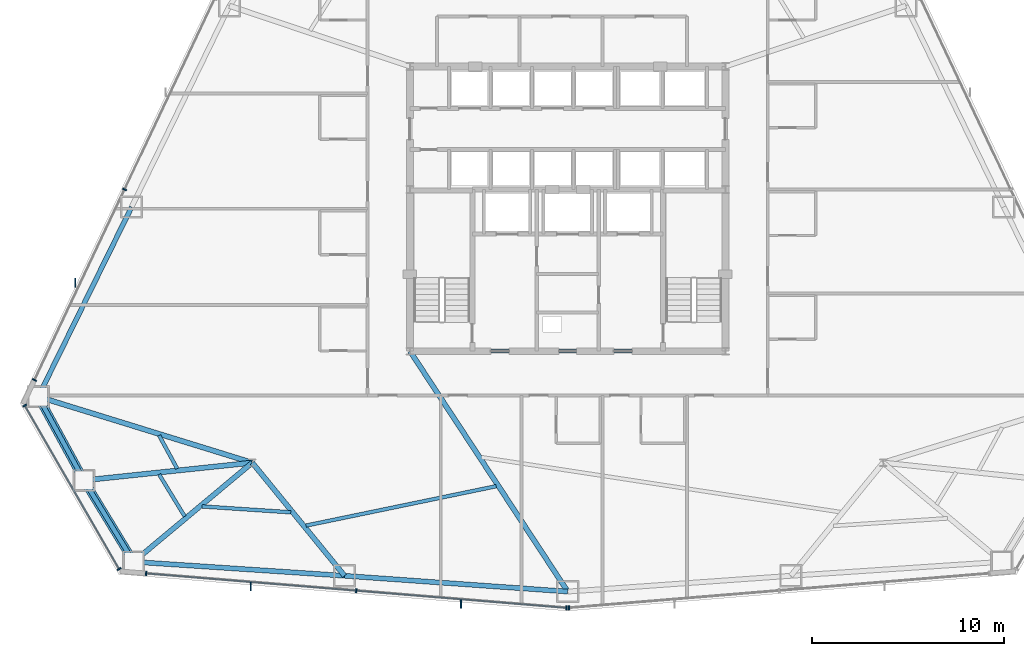
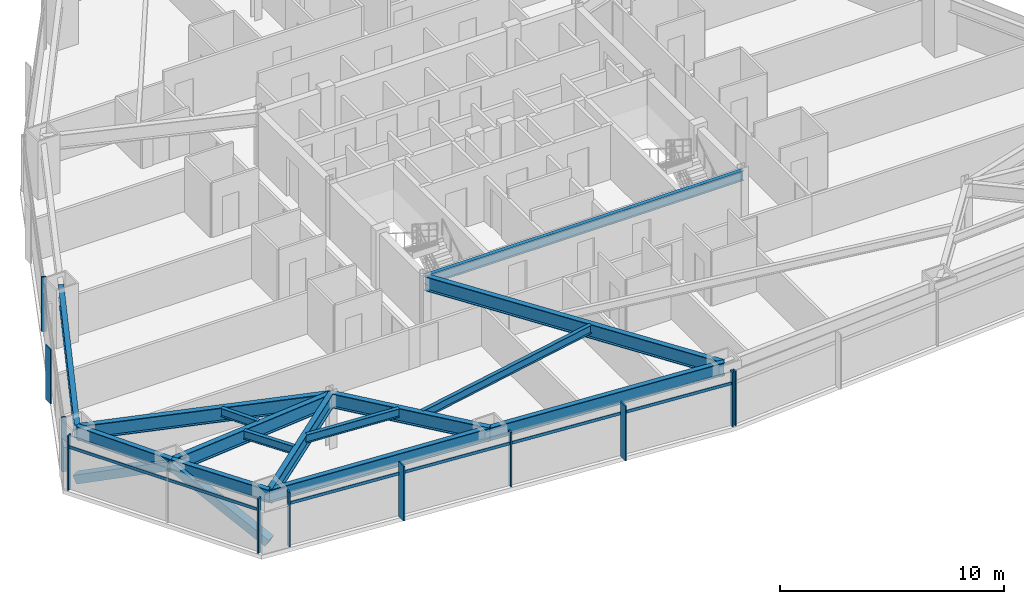
# One storey, part 4 of 13: 15 beams, 15 members, 4 elements without a shape of their own.
"""IFC4 building model written with IfcOpenShell, lengths in metres."""

from ifc_helpers import new_model, si_unit, direction, frame, origin, origin_2d, place, context, subcontext, project, spatial, rectangle, hollow_rectangle, i_section, extrude, source, transform, mapped, material, layer, layer_set, material_profile, profile_set, type_object, type_shapes, element, aggregate, save


model = new_model("IFC4")

# Units and contexts
model_context = context("Model", 3, precision=1e-05, world=origin(), true_north=direction((0.0, 1.0)))
body_context = subcontext(model_context, "Body", "Model", "MODEL_VIEW")
ifc_project = project(units=[si_unit("LENGTHUNIT", "METRE"), si_unit("AREAUNIT", "SQUARE_METRE"), si_unit("VOLUMEUNIT", "CUBIC_METRE"), si_unit("PLANEANGLEUNIT", "RADIAN"), si_unit("MASSUNIT", "GRAM", prefix="KILO")], contexts=[model_context])

# Site, building, storey
site_placement = place(None, origin())
site = spatial("IfcSite", under=ifc_project, at=site_placement, CompositionType="ELEMENT")
building_placement = place(site_placement, origin())
building = spatial("IfcBuilding", under=site, at=building_placement, Name="Varakhsha Concourse Tower", CompositionType="ELEMENT")
storey_placement = place(building_placement, frame((0.0, 0.0, 52.800048828125)))
storey = spatial("IfcBuildingStorey", under=building, at=storey_placement, Name="L14", CompositionType="ELEMENT", Elevation=52.800048828125)

# Beams
ifc_material_1 = material(Name="Structural Steel ASTM A992 Grade 50", Category="steel")
ifc_material_profile_1 = material_profile(ifc_material_1, i_section(OverallWidth=0.26611328125, OverallDepth=0.779052734375, WebThickness=0.01708984375, FlangeThickness=0.030029296875, at=origin_2d()), Name="W30X148")
ifc_profile_set_1 = profile_set([ifc_material_profile_1], Name="Structural Steel ASTM A992 Grade 50")
beam_type_1 = type_object("IfcBeamType", Name="BM-BASE-W30X148", PredefinedType="USERDEFINED", material=ifc_profile_set_1)
beam_1_placement = place(storey_placement, frame((23.60009765625, 10.60009765625, 2.59033203125), z_axis=(-0.955523369022, 0.294915396773, 0.0), x_axis=(-0.294915396773, -0.955523369022, 0.0)))
element("IfcBeam", 1, at=beam_1_placement, inside=storey, type_object=beam_type_1, Name="L14 Radial Floor Girder 07", ObjectType="GIRDER", PredefinedType="USERDEFINED", context=body_context, shape_type="SweptSolid", body=[
    extrude(i_section(OverallWidth=0.26611328125, OverallDepth=0.779052734375, WebThickness=0.01708984375, FlangeThickness=0.030029296875, at=origin_2d()), origin(), (0.0, 0.0, 1.0), 11.641845703125),
])
beam_2_placement = place(storey_placement, frame((23.60009765625, 10.60009765625, 2.59033203125), z_axis=(-0.994529307573, -0.104457916778, 0.0), x_axis=(0.104457916778, -0.994529307573, 0.0)))
element("IfcBeam", 2, at=beam_2_placement, inside=storey, type_object=beam_type_1, Name="L14 Radial Floor Girder 08", ObjectType="GIRDER", PredefinedType="USERDEFINED", context=body_context, shape_type="SweptSolid", body=[
    extrude(i_section(OverallWidth=0.26611328125, OverallDepth=0.779052734375, WebThickness=0.01708984375, FlangeThickness=0.030029296875, at=origin_2d()), origin(), (0.0, 0.0, 1.0), 8.794921875),
])
beam_3_placement = place(storey_placement, frame((23.60009765625, 10.60009765625, 2.59033203125), z_axis=(-0.767329066502, -0.641253540887, 0.0), x_axis=(0.641253540887, -0.767329066502, 0.0)))
element("IfcBeam", 3, at=beam_3_placement, inside=storey, type_object=beam_type_1, Name="L14 Radial Floor Girder 09", ObjectType="GIRDER", PredefinedType="USERDEFINED", context=body_context, shape_type="SweptSolid", body=[
    extrude(i_section(OverallWidth=0.26611328125, OverallDepth=0.779052734375, WebThickness=0.01708984375, FlangeThickness=0.030029296875, at=origin_2d()), origin(), (0.0, 0.0, 1.0), 8.036376953125),
])
beam_4_placement = place(storey_placement, frame((23.60009765625, 10.60009765625, 2.59033203125), z_axis=(0.632361519262, -0.77467342084, 0.0), x_axis=(0.77467342084, 0.632361519262, 0.0)))
element("IfcBeam", 4, at=beam_4_placement, inside=storey, type_object=beam_type_1, Name="L14 Radial Floor Girder 10", ObjectType="GIRDER", PredefinedType="USERDEFINED", context=body_context, shape_type="SweptSolid", body=[
    extrude(i_section(OverallWidth=0.26611328125, OverallDepth=0.779052734375, WebThickness=0.01708984375, FlangeThickness=0.030029296875, at=origin_2d()), origin(), (0.0, 0.0, 1.0), 7.589599609375),
])
beam_5_placement = place(storey_placement, frame((31.800048828125, 16.39990234375, 2.59033203125), z_axis=(0.548485569456, -0.836160020629, 0.0), x_axis=(0.836160020629, 0.548485569456, 0.0)))
element("IfcBeam", 5, at=beam_5_placement, inside=storey, type_object=beam_type_1, Name="L14 Radial Floor Girder 11", ObjectType="GIRDER", PredefinedType="USERDEFINED", context=body_context, shape_type="SweptSolid", body=[
    extrude(i_section(OverallWidth=0.26611328125, OverallDepth=0.779052734375, WebThickness=0.01708984375, FlangeThickness=0.030029296875, at=origin_2d()), origin(), (0.0, 0.0, 1.0), 14.9501953125),
])
ifc_material_profile_2 = material_profile(ifc_material_1, i_section(OverallWidth=0.19091796875, OverallDepth=0.45703125, WebThickness=0.009033203125, FlangeThickness=0.013916015625, at=origin_2d()), Name="W18X50")
ifc_profile_set_2 = profile_set([ifc_material_profile_2], Name="Structural Steel ASTM A992 Grade 50")
beam_type_2 = type_object("IfcBeamType", Name="BM-JST-W18X50", PredefinedType="JOIST", material=ifc_profile_set_2)
beam_6_placement = place(storey_placement, frame((18.75830078125, 12.01416015625, 2.75146484375), z_axis=(0.479375204498, -0.877610057664, 0.0), x_axis=(0.877610057664, 0.479375204498, 0.0)))
element("IfcBeam", 6, at=beam_6_placement, inside=storey, type_object=beam_type_2, Name="BM-TJST-L14-07", PredefinedType="JOIST", context=body_context, shape_type="SweptSolid", body=[
    extrude(i_section(OverallWidth=0.19091796875, OverallDepth=0.45703125, WebThickness=0.009033203125, FlangeThickness=0.013916015625, at=origin_2d()), origin(), (0.0, 0.0, 1.0), 1.961669921875),
])
beam_7_placement = place(storey_placement, frame((18.759033203125, 9.99169921875, 2.75146484375), z_axis=(0.520352766651, -0.853951402738, 0.0), x_axis=(0.853951402738, 0.520352766651, 0.0)))
element("IfcBeam", 7, at=beam_7_placement, inside=storey, type_object=beam_type_2, Name="BM-TJST-L14-08", PredefinedType="JOIST", context=body_context, shape_type="SweptSolid", body=[
    extrude(i_section(OverallWidth=0.19091796875, OverallDepth=0.45703125, WebThickness=0.009033203125, FlangeThickness=0.013916015625, at=origin_2d()), origin(), (0.0, 0.0, 1.0), 2.55712890625),
])
beam_8_placement = place(storey_placement, frame((20.99658203125, 8.3251953125, 2.75146484375), z_axis=(0.997818733044, -0.066013453077, 0.0), x_axis=(0.066013453077, 0.997818733044, 0.0)))
element("IfcBeam", 8, at=beam_8_placement, inside=storey, type_object=beam_type_2, Name="BM-TJST-L14-09", PredefinedType="JOIST", context=body_context, shape_type="SweptSolid", body=[
    extrude(i_section(OverallWidth=0.19091796875, OverallDepth=0.45703125, WebThickness=0.009033203125, FlangeThickness=0.013916015625, at=origin_2d()), origin(), (0.0, 0.0, 1.0), 4.615478515625),
])
beam_9_placement = place(storey_placement, frame((26.3955078125, 7.329833984375, 2.75146484375), z_axis=(0.97923229182, 0.202741506992, 0.0), x_axis=(-0.202741506992, 0.97923229182, 0.0)))
element("IfcBeam", 9, at=beam_9_placement, inside=storey, type_object=beam_type_2, Name="BM-TJST-L14-10", PredefinedType="JOIST", context=body_context, shape_type="SweptSolid", body=[
    extrude(i_section(OverallWidth=0.19091796875, OverallDepth=0.45703125, WebThickness=0.009033203125, FlangeThickness=0.013916015625, at=origin_2d()), origin(), (0.0, 0.0, 1.0), 10.098388671875),
])
ifc_material_profile_3 = material_profile(ifc_material_1, i_section(OverallWidth=0.2109375, OverallDepth=0.5390625, WebThickness=0.011962890625, FlangeThickness=0.01904296875, at=origin_2d()), Name="W21X73")
ifc_profile_set_3 = profile_set([ifc_material_profile_3], Name="Structural Steel ASTM A992 Grade 50")
beam_type_3 = type_object("IfcBeamType", Name="BM-RAD-W21X73", PredefinedType="BEAM", material=ifc_profile_set_3)
beam_10_placement = place(storey_placement, frame((31.800048828125, 16.39990234375, 2.71044921875), z_axis=(1.0, 0.0, 0.0), x_axis=(0.0, 1.0, 0.0)))
element("IfcBeam", 10, at=beam_10_placement, inside=storey, type_object=beam_type_3, Name="BM-TCORE-L14-CS", PredefinedType="BEAM", context=body_context, shape_type="SweptSolid", body=[
    extrude(i_section(OverallWidth=0.2109375, OverallDepth=0.5390625, WebThickness=0.011962890625, FlangeThickness=0.01904296875, at=origin_2d()), origin(), (0.0, 0.0, 1.0), 16.39990234375),
])
ifc_material_profile_4 = material_profile(ifc_material_1, i_section(OverallWidth=0.25390625, OverallDepth=0.701904296875, WebThickness=0.014892578125, FlangeThickness=0.028076171875, at=origin_2d()), Name="W27X129")
ifc_profile_set_4 = profile_set([ifc_material_profile_4], Name="Structural Steel ASTM A992 Grade 50")
beam_type_4 = type_object("IfcBeamType", Name="BM-SPAN-W27X129", PredefinedType="SPANDREL", material=ifc_profile_set_4)
beam_11_placement = place(storey_placement, frame((17.330078125, 23.893310546875, 2.62890625), z_axis=(-0.441677973031, -0.897173655509, 0.0), x_axis=(0.897173655509, -0.441677973031, 0.0)))
element("IfcBeam", 11, at=beam_11_placement, inside=storey, type_object=beam_type_4, Name="BM-SPAN-L14-06", PredefinedType="SPANDREL", context=body_context, shape_type="SweptSolid", body=[
    extrude(i_section(OverallWidth=0.25390625, OverallDepth=0.701904296875, WebThickness=0.014892578125, FlangeThickness=0.028076171875, at=origin_2d()), origin(), (0.0, 0.0, 1.0), 10.989990234375),
])
beam_12_placement = place(storey_placement, frame((12.47607421875, 14.033447265625, 2.62890625), z_axis=(0.479372903145, -0.877611314723, 0.0), x_axis=(0.877611314723, 0.479372903145, 0.0)))
element("IfcBeam", 12, at=beam_12_placement, inside=storey, type_object=beam_type_4, Name="BM-SPAN-L14-07", PredefinedType="SPANDREL", context=body_context, shape_type="SweptSolid", body=[
    extrude(i_section(OverallWidth=0.25390625, OverallDepth=0.701904296875, WebThickness=0.014892578125, FlangeThickness=0.028076171875, at=origin_2d()), origin(), (0.0, 0.0, 1.0), 4.958984375),
])
beam_13_placement = place(storey_placement, frame((14.853271484375, 9.681396484375, 2.62890625), z_axis=(0.520348294869, -0.85395412759, 0.0), x_axis=(0.85395412759, 0.520348294869, 0.0)))
element("IfcBeam", 13, at=beam_13_placement, inside=storey, type_object=beam_type_4, Name="BM-SPAN-L14-08", PredefinedType="SPANDREL", context=body_context, shape_type="SweptSolid", body=[
    extrude(i_section(OverallWidth=0.25390625, OverallDepth=0.701904296875, WebThickness=0.014892578125, FlangeThickness=0.028076171875, at=origin_2d()), origin(), (0.0, 0.0, 1.0), 4.958740234375),
])
beam_14_placement = place(storey_placement, frame((17.43359375, 5.44677734375, 2.62890625), z_axis=(0.997815134751, -0.06606782017, 0.0), x_axis=(0.06606782017, 0.997815134751, 0.0)))
element("IfcBeam", 14, at=beam_14_placement, inside=storey, type_object=beam_type_4, Name="BM-SPAN-L14-09", PredefinedType="SPANDREL", context=body_context, shape_type="SweptSolid", body=[
    extrude(i_section(OverallWidth=0.25390625, OverallDepth=0.701904296875, WebThickness=0.014892578125, FlangeThickness=0.028076171875, at=origin_2d()), origin(), (0.0, 0.0, 1.0), 10.98974609375),
])
beam_15_placement = place(storey_placement, frame((28.3994140625, 4.720703125, 2.62890625), z_axis=(0.997501780615, -0.070641331168, 0.0), x_axis=(0.070641331168, 0.997501780615, 0.0)))
element("IfcBeam", 15, at=beam_15_placement, inside=storey, type_object=beam_type_4, Name="BM-SPAN-L14-10", PredefinedType="SPANDREL", context=body_context, shape_type="SweptSolid", body=[
    extrude(i_section(OverallWidth=0.25390625, OverallDepth=0.701904296875, WebThickness=0.014892578125, FlangeThickness=0.028076171875, at=origin_2d()), origin(), (0.0, 0.0, 1.0), 11.629638671875),
])

# Members
ifc_material_2 = material(Name="Structural Steel ASTM A500 Grade C", Category="steel")
ifc_material_profile_5 = material_profile(ifc_material_2, hollow_rectangle(XDim=0.449951171875, YDim=0.449951171875, WallThickness=0.01904296875, at=origin_2d()), Name="HSS 450x450x19")
ifc_profile_set_5 = profile_set([ifc_material_profile_5], Name="Structural Steel ASTM A500 Grade C")
member_type_1 = type_object("IfcMemberType", Name="MB-TUBE-HSS450", PredefinedType="BRACE", material=ifc_profile_set_5)
shared_shape_1 = source(origin(), body_context, "Body", "SweptSolid", [
    extrude(hollow_rectangle(XDim=0.449951171875, YDim=0.449951171875, WallThickness=0.01904296875, at=origin_2d()), origin(), (0.0, 0.0, 1.0), 5.580810546875),
])
member_1_placement = place(storey_placement, frame((12.47607421875, 14.033447265625, 0.119873046875), z_axis=(0.425960053824, -0.77982581077, 0.458726211811), x_axis=(0.877611314723, 0.479372903145, 0.0)))
element("IfcMember", 16, at=member_1_placement, inside=storey, type_object=member_type_1, Name="L14 Wind-Corner Tube Brace B03", PredefinedType="BRACE", context=body_context, shape_type="MappedRepresentation", body=[
    mapped(shared_shape_1, transform((0.0, 0.0, 0.0), scale=1.0)),
])
shared_shape_2 = source(origin(), body_context, "Body", "SweptSolid", [
    extrude(hollow_rectangle(XDim=0.449951171875, YDim=0.449951171875, WallThickness=0.01904296875, at=origin_2d()), origin(), (0.0, 0.0, 1.0), 5.58056640625),
])
type_shapes(member_type_1, [shared_shape_1, shared_shape_2])
member_2_placement = place(storey_placement, frame((17.43359375, 5.44677734375, 0.119873046875), z_axis=(-0.462367199705, 0.758800177773, 0.458736158209), x_axis=(-0.85395412759, -0.520348294869, 0.0)))
element("IfcMember", 17, at=member_2_placement, inside=storey, type_object=member_type_1, Name="L14 Wind-Corner Tube Brace B04", PredefinedType="BRACE", context=body_context, shape_type="MappedRepresentation", body=[
    mapped(shared_shape_2, transform((0.0, 0.0, 0.0), scale=1.0)),
])

# Curtain wall, members
ifc_material_3 = material(Name="Anodised Bronze Architectural Aluminium AA 6063-T6", Category="aluminium")
ifc_layer = layer(ifc_material_3, 0.219970703125, Name="CW-SYS-02")
ifc_layer_set = layer_set([ifc_layer], Name="Anodised Bronze Architectural Aluminium AA 6063-T6")
curtain_wall_type = type_object("IfcCurtainWallType", Name="CW-SYS-02", PredefinedType="NOTDEFINED", material=ifc_layer_set)
curtain_wall_1_placement = place(storey_placement, origin())
curtain_wall_1 = element("IfcCurtainWall", 18, at=curtain_wall_1_placement, inside=storey, type_object=curtain_wall_type, Name="L14 Crystal Curtain Wall F3", PredefinedType="NOTDEFINED")
ifc_material_profile_6 = material_profile(ifc_material_3, rectangle(XDim=0.074951171875, YDim=0.219970703125, at=origin_2d()), Name="CWM-220X75")
ifc_profile_set_6 = profile_set([ifc_material_profile_6], Name="Anodised Bronze Architectural Aluminium AA 6063-T6")
member_type_2 = type_object("IfcMemberType", Name="CWM-220X75", PredefinedType="MULLION", material=ifc_profile_set_6)
shared_shape_3 = source(origin(), body_context, "Body", "SweptSolid", [
    extrude(rectangle(XDim=0.074951171875, YDim=0.219970703125, at=origin_2d()), origin(), (0.0, 0.0, 1.0), 2.97998046875),
])
type_shapes(member_type_2, [shared_shape_3])
member_3_placement = place(storey_placement, frame((12.278564453125, 14.898193359375, 0.0), z_axis=(0.0, 0.0, 1.0), x_axis=(0.427604003332, 0.903966158844, 0.0)))
member_3 = element("IfcMember", 19, at=member_3_placement, type_object=member_type_2, Name="CW-L14-F3 Mullion 00", PredefinedType="MULLION", context=body_context, shape_type="MappedRepresentation", body=[
    mapped(shared_shape_3, transform((0.0, 0.0, 0.0), scale=1.0)),
])
member_4_placement = place(storey_placement, frame((16.9658203125, 24.806884765625, 0.0), z_axis=(0.0, 0.0, 1.0), x_axis=(0.427604003332, 0.903966158844, 0.0)))
member_4 = element("IfcMember", 20, at=member_4_placement, type_object=member_type_2, Name="CW-L14-F3 Mullion 01", PredefinedType="MULLION", context=body_context, shape_type="MappedRepresentation", body=[
    mapped(shared_shape_3, transform((0.0, 0.0, 0.0), scale=1.0)),
])

curtain_wall_2_placement = place(storey_placement, origin())
curtain_wall_2 = element("IfcCurtainWall", 21, at=curtain_wall_2_placement, inside=storey, type_object=curtain_wall_type, Name="L14 Chamfer Curtain Wall F4", PredefinedType="NOTDEFINED")
member_5_placement = place(storey_placement, frame((16.683837890625, 5.070556640625, 0.0), z_axis=(0.0, 0.0, 1.0), x_axis=(-0.49999395399, 0.866028894422, 0.0)))
member_5 = element("IfcMember", 22, at=member_5_placement, type_object=member_type_2, Name="CW-L14-F4 Mullion 00", PredefinedType="MULLION", context=body_context, shape_type="MappedRepresentation", body=[
    mapped(shared_shape_3, transform((0.0, 0.0, 0.0), scale=1.0)),
])
member_6_placement = place(storey_placement, frame((11.775390625, 13.572509765625, 0.0), z_axis=(0.0, 0.0, 1.0), x_axis=(-0.49999395399, 0.866028894422, 0.0)))
member_6 = element("IfcMember", 23, at=member_6_placement, type_object=member_type_2, Name="CW-L14-F4 Mullion 01", PredefinedType="MULLION", context=body_context, shape_type="MappedRepresentation", body=[
    mapped(shared_shape_3, transform((0.0, 0.0, 0.0), scale=1.0)),
])

curtain_wall_3_placement = place(storey_placement, origin())
curtain_wall_3 = element("IfcCurtainWall", 24, at=curtain_wall_3_placement, inside=storey, type_object=curtain_wall_type, Name="L14 Crystal Curtain Wall F5", PredefinedType="NOTDEFINED")
member_7_placement = place(storey_placement, frame((39.933349609375, 3.05322265625, 0.0), z_axis=(0.0, 0.0, 1.0), x_axis=(-0.996659944452, 0.081663670777, 0.0)))
member_7 = element("IfcMember", 25, at=member_7_placement, type_object=member_type_2, Name="CW-L14-F5 Mullion 00", PredefinedType="MULLION", context=body_context, shape_type="MappedRepresentation", body=[
    mapped(shared_shape_3, transform((0.0, 0.0, 0.0), scale=1.0)),
])
member_8_placement = place(storey_placement, frame((29.008544921875, 3.9482421875, 0.0), z_axis=(0.0, 0.0, 1.0), x_axis=(-0.996659944452, 0.081663670777, 0.0)))
member_8 = element("IfcMember", 26, at=member_8_placement, type_object=member_type_2, Name="CW-L14-F5 Mullion 01", PredefinedType="MULLION", context=body_context, shape_type="MappedRepresentation", body=[
    mapped(shared_shape_3, transform((0.0, 0.0, 0.0), scale=1.0)),
])
member_9_placement = place(storey_placement, frame((18.08349609375, 4.843505859375, 0.0), z_axis=(0.0, 0.0, 1.0), x_axis=(-0.996659944452, 0.081663670777, 0.0)))
member_9 = element("IfcMember", 27, at=member_9_placement, type_object=member_type_2, Name="CW-L14-F5 Mullion 02", PredefinedType="MULLION", context=body_context, shape_type="MappedRepresentation", body=[
    mapped(shared_shape_3, transform((0.0, 0.0, 0.0), scale=1.0)),
])

# Curtain wall, member
curtain_wall_4_placement = place(storey_placement, origin())
curtain_wall_4 = element("IfcCurtainWall", 28, at=curtain_wall_4_placement, inside=storey, type_object=curtain_wall_type, Name="L14 Crystal Curtain Wall F6", PredefinedType="NOTDEFINED")
member_10_placement = place(storey_placement, frame((40.066650390625, 3.05322265625, 0.0), z_axis=(0.0, 0.0, 1.0), x_axis=(-0.996659944452, -0.081663670777, 0.0)))
member_10 = element("IfcMember", 29, at=member_10_placement, type_object=member_type_2, Name="CW-L14-F6 Mullion 02", PredefinedType="MULLION", context=body_context, shape_type="MappedRepresentation", body=[
    mapped(shared_shape_3, transform((0.0, 0.0, 0.0), scale=1.0)),
])
aggregate(curtain_wall_4, [member_10])

# Member
ifc_material_profile_7 = material_profile(ifc_material_3, rectangle(XDim=0.06494140625, YDim=0.449951171875, at=origin_2d()), Name="FIN-BRZ-450")
ifc_profile_set_7 = profile_set([ifc_material_profile_7], Name="Anodised Bronze Architectural Aluminium AA 6063-T6")
member_type_3 = type_object("IfcMemberType", Name="FIN-BRZ-450", PredefinedType="USERDEFINED", material=ifc_profile_set_7)
shared_shape_4 = source(origin(), body_context, "Body", "SweptSolid", [
    extrude(rectangle(XDim=0.06494140625, YDim=0.449951171875, at=origin_2d()), origin(), (0.0, 0.0, 1.0), 2.97998046875),
])
type_shapes(member_type_3, [shared_shape_4])
member_11_placement = place(storey_placement, frame((14.4052734375, 19.955078125, 0.0), z_axis=(0.0, 0.0, 1.0), x_axis=(1.0, 0.0, 0.0)))
member_11 = element("IfcMember", 30, at=member_11_placement, type_object=member_type_3, Name="L14 Anodised Bronze Solar Fin F3-1", ObjectType="SOLAR FIN", PredefinedType="USERDEFINED", context=body_context, shape_type="MappedRepresentation", body=[
    mapped(shared_shape_4, transform((0.0, 0.0, 0.0), scale=1.0)),
])

aggregate(curtain_wall_1, [member_3, member_4, member_11])

member_12_placement = place(storey_placement, frame((34.451416015625, 3.26171875, 0.0), z_axis=(0.0, 0.0, 1.0), x_axis=(1.0, 0.0, 0.0)))
member_12 = element("IfcMember", 31, at=member_12_placement, type_object=member_type_3, Name="L14 Anodised Bronze Solar Fin F5-1", ObjectType="SOLAR FIN", PredefinedType="USERDEFINED", context=body_context, shape_type="MappedRepresentation", body=[
    mapped(shared_shape_4, transform((0.0, 0.0, 0.0), scale=1.0)),
])

member_13_placement = place(storey_placement, frame((23.5263671875, 4.15673828125, 0.0), z_axis=(0.0, 0.0, 1.0), x_axis=(1.0, 0.0, 0.0)))
member_13 = element("IfcMember", 32, at=member_13_placement, type_object=member_type_3, Name="L14 Anodised Bronze Solar Fin F5-2", ObjectType="SOLAR FIN", PredefinedType="USERDEFINED", context=body_context, shape_type="MappedRepresentation", body=[
    mapped(shared_shape_4, transform((0.0, 0.0, 0.0), scale=1.0)),
])

ifc_material_profile_8 = material_profile(ifc_material_3, rectangle(XDim=0.06494140625, YDim=0.159912109375, at=origin_2d()), Name="CWT-160X65")
ifc_profile_set_8 = profile_set([ifc_material_profile_8], Name="Anodised Bronze Architectural Aluminium AA 6063-T6")
member_type_4 = type_object("IfcMemberType", Name="CWT-160X65", PredefinedType="USERDEFINED", material=ifc_profile_set_8)
shared_shape_5 = source(origin(), body_context, "Body", "SweptSolid", [
    extrude(rectangle(XDim=0.06494140625, YDim=0.159912109375, at=origin_2d()), origin(), (0.0, 0.0, 1.0), 21.923095703125),
])
member_14_placement = place(storey_placement, frame((39.933349609375, 3.05322265625, 2.329833984375), z_axis=(-0.996660077382, 0.08166204842, 0.0), x_axis=(-0.08166204842, -0.996660077382, 0.0)))
member_14 = element("IfcMember", 33, at=member_14_placement, type_object=member_type_4, Name="CW-L14-F5 Transom 01", ObjectType="TRANSOM", PredefinedType="USERDEFINED", context=body_context, shape_type="MappedRepresentation", body=[
    mapped(shared_shape_5, transform((0.0, 0.0, 0.0), scale=1.0)),
])

aggregate(curtain_wall_3, [member_7, member_8, member_9, member_14, member_12, member_13])

shared_shape_6 = source(origin(), body_context, "Body", "SweptSolid", [
    extrude(rectangle(XDim=0.06494140625, YDim=0.159912109375, at=origin_2d()), origin(), (0.0, 0.0, 1.0), 9.817138671875),
])
type_shapes(member_type_4, [shared_shape_5, shared_shape_6])
member_15_placement = place(storey_placement, frame((16.683837890625, 5.070556640625, 2.329833984375), z_axis=(-0.499987955211, 0.866032357735, 0.0), x_axis=(-0.866032357735, -0.499987955211, 0.0)))
member_15 = element("IfcMember", 34, at=member_15_placement, type_object=member_type_4, Name="CW-L14-F4 Transom 01", ObjectType="TRANSOM", PredefinedType="USERDEFINED", context=body_context, shape_type="MappedRepresentation", body=[
    mapped(shared_shape_6, transform((0.0, 0.0, 0.0), scale=1.0)),
])

aggregate(curtain_wall_2, [member_5, member_6, member_15])

save(model, "model.ifc")
